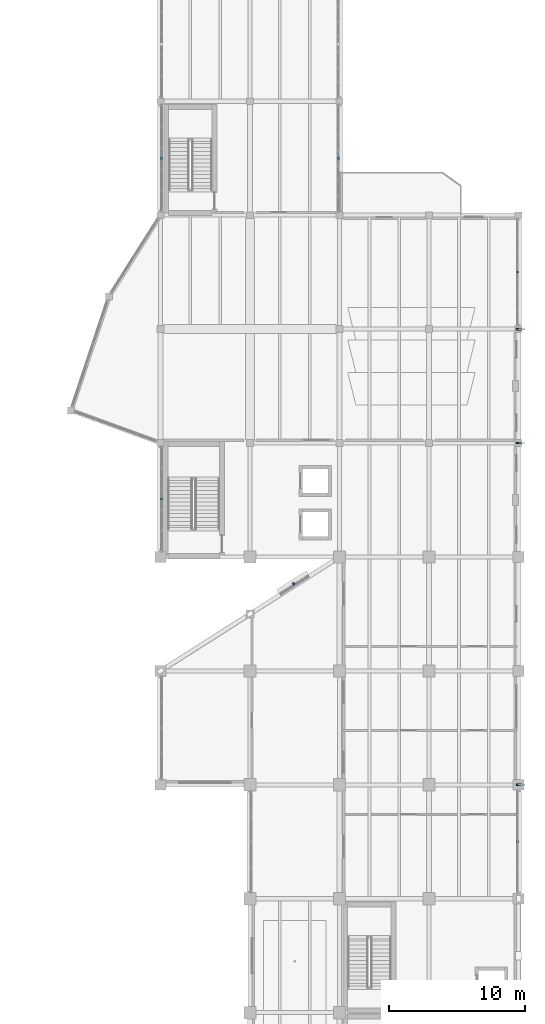
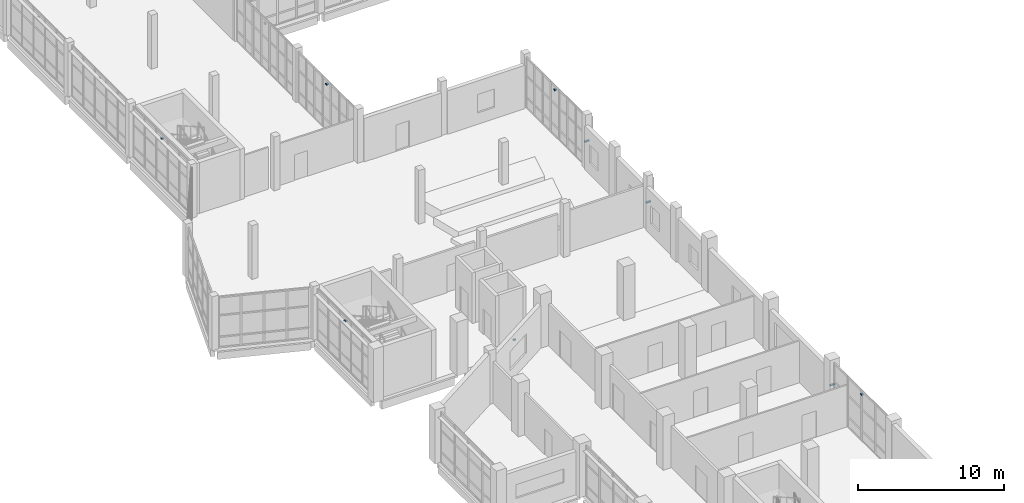
# One storey, part 62 of 76: 9 discrete accessories.
"""IFC4 building model written with IfcOpenShell, lengths in metres."""

from ifc_helpers import new_model, si_unit, direction, frame, origin, origin_2d, place, context, subcontext, project, spatial, rectangle, extrude, material, layer, layer_set, type_object, element, save


model = new_model("IFC4")

# Units and contexts
model_context = context("Model", 3, precision=1e-05, world=origin(), true_north=direction((0.0, 1.0)))
body_context = subcontext(model_context, "Body", "Model", "MODEL_VIEW")
ifc_project = project(units=[si_unit("LENGTHUNIT", "METRE"), si_unit("AREAUNIT", "SQUARE_METRE"), si_unit("VOLUMEUNIT", "CUBIC_METRE"), si_unit("PLANEANGLEUNIT", "RADIAN"), si_unit("MASSUNIT", "GRAM", prefix="KILO")], contexts=[model_context])

# Site, building, storey
site_placement = place(None, origin())
site = spatial("IfcSite", under=ifc_project, at=site_placement, CompositionType="ELEMENT")
building_placement = place(site_placement, origin())
building = spatial("IfcBuilding", under=site, at=building_placement, Name="Qaldarim Faculty of Natural and Applied Sciences", CompositionType="ELEMENT")
storey_placement = place(building_placement, frame((0.0, 0.0, 9.89990234375)))
storey = spatial("IfcBuildingStorey", under=building, at=storey_placement, Name="L02", CompositionType="ELEMENT", Elevation=9.89990234375)

# Discrete accessories
ifc_material = material(Name="Architectural stainless steel 316", Category="steel")
ifc_layer = layer(ifc_material, 0.080078125)
ifc_layer_set = layer_set([ifc_layer], Name="Architectural stainless steel 316")
discrete_accessory_type = type_object("IfcDiscreteAccessoryType", Name="FacadeBracket-SS120", PredefinedType="BRACKET", material=ifc_layer_set)
for number, where, z_axis, x_axis, name in (
    (1, (151.8798828125, 63.074951171875, 3.85009765625), (0.0, 0.0, 1.0), (0.0, 1.0, 0.0), "Solar louvre support bracket SHD-L02-W-X24Y08"),
    (2, (151.8798828125, 88.199951171875, 3.85009765625), (0.0, 0.0, 1.0), (0.0, 1.0, 0.0), "Solar louvre support bracket SHD-L02-W-X24Y11"),
    (3, (164.919921875, 88.199951171875, 3.85009765625), (0.0, 0.0, 1.0), (0.0, 1.0, 0.0), "Solar louvre support bracket SHD-L02-E-X25Y11"),
    (4, (178.1201171875, 37.800048828125, 3.85009765625), (0.0, 0.0, 1.0), (0.0, 1.0, 0.0), "Solar louvre support bracket SHD-L02-E-X27Y05"),
    (5, (178.1201171875, 79.800048828125, 3.85009765625), (0.0, 0.0, 1.0), (0.0, 1.0, 0.0), "Solar louvre support bracket SHD-L02-E-X27Y10"),
    (6, (161.614990234375, 56.8349609375, 2.66015625), (0.0, 0.0, 1.0), (0.843775713382, 0.536695952571, 0.0), "Oblique solar louvre bracket SHD-OBL-NW-L02-2"),
):
    element("IfcDiscreteAccessory", number, at=place(storey_placement, frame(where, z_axis=z_axis, x_axis=x_axis)), inside=storey, type_object=discrete_accessory_type, Name=name, PredefinedType="BRACKET", context=body_context, shape_type="SweptSolid", body=[
        extrude(rectangle(XDim=0.159912109375, YDim=0.159912109375, at=origin_2d()), origin(), (0.0, 0.0, 1.0), 0.080078125),
    ])
for number, where, z_axis, x_axis, name in (
    (7, (178.199951171875, 42.0, 2.070068359375), (0.0, 0.0, 1.0), (1.0, 0.0, 0.0), "Solar fin bracket FIN-L02-X28Y06"),
    (8, (178.199951171875, 67.199951171875, 2.070068359375), (0.0, 0.0, 1.0), (1.0, 0.0, 0.0), "Solar fin bracket FIN-L02-X28Y09"),
    (9, (178.199951171875, 75.60009765625, 2.070068359375), (0.0, 0.0, 1.0), (1.0, 0.0, 0.0), "Solar fin bracket FIN-L02-X28Y10"),
):
    element("IfcDiscreteAccessory", number, at=place(storey_placement, frame(where, z_axis=z_axis, x_axis=x_axis)), inside=storey, type_object=discrete_accessory_type, Name=name, PredefinedType="BRACKET", context=body_context, shape_type="SweptSolid", body=[
        extrude(rectangle(XDim=0.360107421875, YDim=0.139892578125, at=origin_2d()), origin(), (0.0, 0.0, 1.0), 0.10009765625),
    ])

save(model, "model.ifc")
